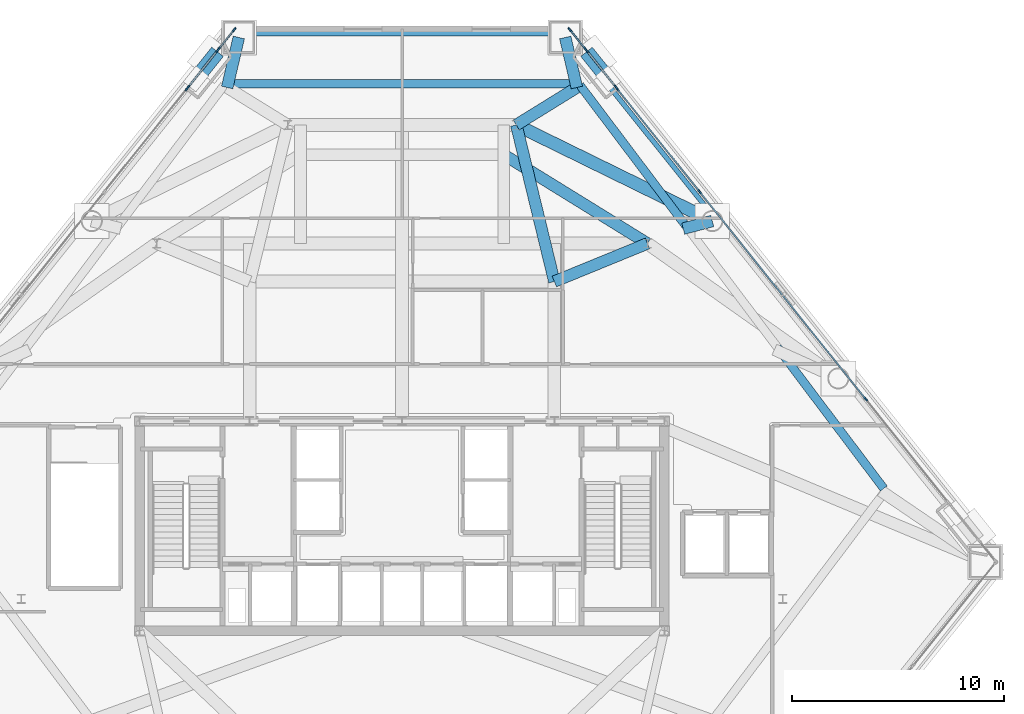
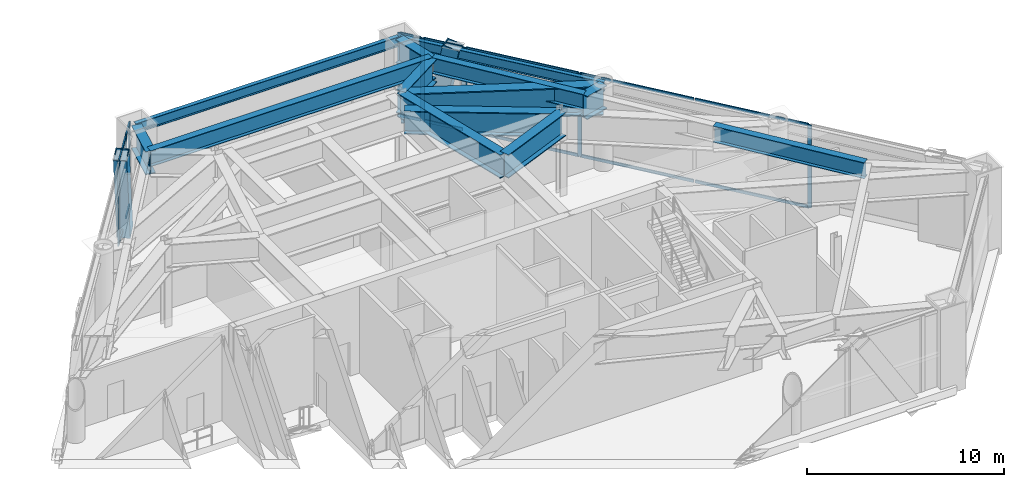
# One storey, part 6 of 13: 28 members, 13 beams, 6 elements without a shape of their own.
"""IFC4 building model written with IfcOpenShell, lengths in metres."""

from ifc_helpers import new_model, si_unit, direction, frame, origin, origin_2d, place, context, subcontext, project, spatial, rectangle, hollow_rectangle, i_section, extrude, material, layer, layer_set, material_profile, profile_set, type_object, element, aggregate, save


model = new_model("IFC4")

# Units and contexts
model_context = context("Model", 3, precision=1e-05, world=origin(), true_north=direction((0.0, 1.0)))
body_context = subcontext(model_context, "Body", "Model", "MODEL_VIEW")
ifc_project = project(units=[si_unit("LENGTHUNIT", "METRE"), si_unit("AREAUNIT", "SQUARE_METRE"), si_unit("VOLUMEUNIT", "CUBIC_METRE"), si_unit("PLANEANGLEUNIT", "RADIAN"), si_unit("MASSUNIT", "GRAM", prefix="KILO")], contexts=[model_context])

# Site, building, storey
site_placement = place(None, origin())
site = spatial("IfcSite", under=ifc_project, at=site_placement, CompositionType="ELEMENT")
building_placement = place(site_placement, origin())
building = spatial("IfcBuilding", under=site, at=building_placement, Name="Talgorran Terracotta Tower", CompositionType="ELEMENT")
storey_placement = place(building_placement, frame((0.0, 0.0, 18.89990234375)))
storey = spatial("IfcBuildingStorey", under=building, at=storey_placement, Name="L04", CompositionType="ELEMENT", Elevation=18.89990234375)

# Beams
ifc_material_1 = material(Name="Steel Grade 350 (350L0)", Category="steel")
ifc_material_profile_1 = material_profile(ifc_material_1, i_section(OverallWidth=0.39990234375, OverallDepth=1.0, WebThickness=0.01611328125, FlangeThickness=0.031005859375, at=origin_2d()), Name="1000WB296")
ifc_profile_set_1 = profile_set([ifc_material_profile_1], Name="Steel Grade 350 (350L0)")
beam_type_1 = type_object("IfcBeamType", Name="BM_1000WB296", PredefinedType="BEAM", material=ifc_profile_set_1)
for number, where, z_axis, x_axis, name in (
    (1, (22.770263671875, -7.382080078125, 4.650146484375), (-0.601803503312, 0.798644190739, 0.0), (-0.798644190739, -0.601803503312, 0.0), "L04 Setback Inner Spandrel Girder 6"),
    (2, (13.43408203125, 5.00732421875, 4.650146484375), (-0.601803503312, 0.798644190739, 0.0), (-0.798644190739, -0.601803503312, 0.0), "L04 Setback Inner Spandrel Girder 8"),
):
    element("IfcBeam", number, at=place(storey_placement, frame(where, z_axis=z_axis, x_axis=x_axis)), inside=storey, type_object=beam_type_1, Name=name, PredefinedType="BEAM", context=body_context, shape_type="SweptSolid", body=[
        extrude(i_section(OverallWidth=0.39990234375, OverallDepth=1.0, WebThickness=0.01611328125, FlangeThickness=0.031005859375, at=origin_2d()), origin(), (0.0, 0.0, 1.0), 8.353271484375),
    ])
beam_1_placement = place(storey_placement, frame((8.26318359375, 11.75048828125, 4.650146484375), z_axis=(-1.0, 0.0, 0.0), x_axis=(0.0, -1.0, 0.0)))
element("IfcBeam", 3, at=beam_1_placement, inside=storey, type_object=beam_type_1, Name="L04 Setback Inner Spandrel Girder 9", PredefinedType="BEAM", context=body_context, shape_type="SweptSolid", body=[
    extrude(i_section(OverallWidth=0.39990234375, OverallDepth=1.0, WebThickness=0.01611328125, FlangeThickness=0.031005859375, at=origin_2d()), origin(), (0.0, 0.0, 1.0), 16.5263671875),
])
ifc_material_2 = material(Name="Steel S355 (300PLUS)", Category="steel")
ifc_material_profile_2 = material_profile(ifc_material_2, i_section(OverallWidth=0.22900390625, OverallDepth=0.611572265625, WebThickness=0.011962890625, FlangeThickness=0.01953125, at=origin_2d()), Name="610UB125")
ifc_profile_set_2 = profile_set([ifc_material_profile_2], Name="Steel S355 (300PLUS)")
beam_type_2 = type_object("IfcBeamType", Name="BM_SP_610UB125", PredefinedType="SPANDREL", material=ifc_profile_set_2)
beam_2_placement = place(storey_placement, frame((14.80419921875, 5.371337890625, 4.84423828125), z_axis=(-0.625115426811, 0.780532320383, 0.0), x_axis=(-0.780532320383, -0.625115426811, 0.0)))
element("IfcBeam", 4, at=beam_2_placement, inside=storey, type_object=beam_type_2, Name="L04 Perimeter Spandrel Beam FC4-MC5", PredefinedType="SPANDREL", context=body_context, shape_type="SweptSolid", body=[
    extrude(i_section(OverallWidth=0.22900390625, OverallDepth=0.611572265625, WebThickness=0.011962890625, FlangeThickness=0.01953125, at=origin_2d()), origin(), (0.0, 0.0, 1.0), 11.1171875),
])
beam_3_placement = place(storey_placement, frame((7.714111328125, 14.115966796875, 4.84423828125), z_axis=(-1.0, 0.0, 0.0), x_axis=(0.0, -1.0, 0.0)))
element("IfcBeam", 5, at=beam_3_placement, inside=storey, type_object=beam_type_2, Name="L04 Perimeter Spandrel Beam MC5-MC6", PredefinedType="SPANDREL", context=body_context, shape_type="SweptSolid", body=[
    extrude(i_section(OverallWidth=0.22900390625, OverallDepth=0.611572265625, WebThickness=0.011962890625, FlangeThickness=0.01953125, at=origin_2d()), origin(), (0.0, 0.0, 1.0), 15.42822265625),
])
ifc_material_profile_3 = material_profile(ifc_material_1, i_section(OverallWidth=0.550048828125, OverallDepth=1.449951171875, WebThickness=0.031982421875, FlangeThickness=0.054931640625, at=origin_2d()), Name="TG1450X550")
ifc_profile_set_3 = profile_set([ifc_material_profile_3], Name="Steel Grade 350 (350L0)")
beam_type_3 = type_object("IfcBeamType", Name="BM_TG_1450", PredefinedType="BEAM", material=ifc_profile_set_3)
beam_4_placement = place(storey_placement, frame((14.663818359375, 5.2587890625, 4.425048828125), z_axis=(-0.967392288814, -0.253282765983, 0.0), x_axis=(0.253282765983, -0.967392288814, 0.0)))
element("IfcBeam", 6, at=beam_4_placement, inside=storey, type_object=beam_type_3, Name="L04 Transfer Girder 8A", PredefinedType="BEAM", context=body_context, shape_type="SweptSolid", body=[
    extrude(i_section(OverallWidth=0.550048828125, OverallDepth=1.449951171875, WebThickness=0.031982421875, FlangeThickness=0.054931640625, at=origin_2d()), origin(), (0.0, 0.0, 1.0), 1.419921875),
])
beam_5_placement = place(storey_placement, frame((7.714111328125, 13.93603515625, 4.425048828125), z_axis=(0.226085420297, -0.97410748007, 0.0), x_axis=(0.97410748007, 0.226085420297, 0.0)))
element("IfcBeam", 7, at=beam_5_placement, inside=storey, type_object=beam_type_3, Name="L04 Transfer Girder 9A", PredefinedType="BEAM", context=body_context, shape_type="SweptSolid", body=[
    extrude(i_section(OverallWidth=0.550048828125, OverallDepth=1.449951171875, WebThickness=0.031982421875, FlangeThickness=0.054931640625, at=origin_2d()), origin(), (0.0, 0.0, 1.0), 2.4287109375),
])
beam_6_placement = place(storey_placement, frame((8.26318359375, 11.5703125, 4.425048828125), z_axis=(-0.850563310322, -0.525872660569, 0.0), x_axis=(0.525872660569, -0.850563310322, 0.0)))
element("IfcBeam", 8, at=beam_6_placement, inside=storey, type_object=beam_type_3, Name="L04 Transfer Girder 9B", PredefinedType="BEAM", context=body_context, shape_type="SweptSolid", body=[
    extrude(i_section(OverallWidth=0.550048828125, OverallDepth=1.449951171875, WebThickness=0.031982421875, FlangeThickness=0.054931640625, at=origin_2d()), origin(), (0.0, 0.0, 1.0), 3.366455078125),
])
beam_7_placement = place(storey_placement, frame((-7.714111328125, 13.93603515625, 4.425048828125), z_axis=(-0.226085420297, -0.97410748007, 0.0), x_axis=(0.97410748007, -0.226085420297, 0.0)))
element("IfcBeam", 9, at=beam_7_placement, inside=storey, type_object=beam_type_3, Name="L04 Transfer Girder 10A", PredefinedType="BEAM", context=body_context, shape_type="SweptSolid", body=[
    extrude(i_section(OverallWidth=0.550048828125, OverallDepth=1.449951171875, WebThickness=0.031982421875, FlangeThickness=0.054931640625, at=origin_2d()), origin(), (0.0, 0.0, 1.0), 2.4287109375),
])
beam_8_placement = place(storey_placement, frame((7.199951171875, 2.39990234375, 4.425048828125), z_axis=(-0.236353215138, 0.971667205217, 0.0), x_axis=(-0.971667205217, -0.236353215138, 0.0)))
element("IfcBeam", 10, at=beam_8_placement, inside=storey, type_object=beam_type_3, Name="L04 Transfer Girder TG02B", PredefinedType="BEAM", context=body_context, shape_type="SweptSolid", body=[
    extrude(i_section(OverallWidth=0.550048828125, OverallDepth=1.449951171875, WebThickness=0.031982421875, FlangeThickness=0.054931640625, at=origin_2d()), origin(), (0.0, 0.0, 1.0), 7.615966796875),
])
beam_9_placement = place(storey_placement, frame((7.199951171875, 2.39990234375, 4.425048828125), z_axis=(0.925547774227, 0.378630846106, 0.0), x_axis=(-0.378630846106, 0.925547774227, 0.0)))
element("IfcBeam", 11, at=beam_9_placement, inside=storey, type_object=beam_type_3, Name="L04 Transfer Girder TG03B", PredefinedType="BEAM", context=body_context, shape_type="SweptSolid", body=[
    extrude(i_section(OverallWidth=0.550048828125, OverallDepth=1.449951171875, WebThickness=0.031982421875, FlangeThickness=0.054931640625, at=origin_2d()), origin(), (0.0, 0.0, 1.0), 4.754150390625),
])
beam_10_placement = place(storey_placement, frame((4.800048828125, 8.39990234375, 4.425048828125), z_axis=(0.850802415717, -0.525485727124, 0.0), x_axis=(0.525485727124, 0.850802415717, 0.0)))
element("IfcBeam", 12, at=beam_10_placement, inside=storey, type_object=beam_type_3, Name="L04 Transfer Girder TG11", PredefinedType="BEAM", context=body_context, shape_type="SweptSolid", body=[
    extrude(i_section(OverallWidth=0.550048828125, OverallDepth=1.449951171875, WebThickness=0.031982421875, FlangeThickness=0.054931640625, at=origin_2d()), origin(), (0.0, 0.0, 1.0), 7.992431640625),
])
ifc_material_profile_4 = material_profile(ifc_material_1, i_section(OverallWidth=0.60009765625, OverallDepth=1.800048828125, WebThickness=0.035888671875, FlangeThickness=0.06494140625, at=origin_2d()), Name="TG1800X600")
ifc_profile_set_4 = profile_set([ifc_material_profile_4], Name="Steel Grade 350 (350L0)")
beam_type_4 = type_object("IfcBeamType", Name="BM_TG_1800", PredefinedType="BEAM", material=ifc_profile_set_4)
beam_11_placement = place(storey_placement, frame((5.39990234375, 9.800048828125, 4.25), z_axis=(0.897915954742, -0.44016694358, 0.0), x_axis=(0.44016694358, 0.897915954742, 0.0)))
element("IfcBeam", 13, at=beam_11_placement, inside=storey, type_object=beam_type_4, Name="L04 Transfer Girder TG08B", PredefinedType="BEAM", context=body_context, shape_type="SweptSolid", body=[
    extrude(i_section(OverallWidth=0.60009765625, OverallDepth=1.800048828125, WebThickness=0.035888671875, FlangeThickness=0.06494140625, at=origin_2d()), origin(), (0.0, 0.0, 1.0), 10.317138671875),
])

# Members
ifc_material_profile_5 = material_profile(ifc_material_1, hollow_rectangle(XDim=0.699951171875, YDim=0.89990234375, WallThickness=0.050048828125, at=origin_2d()), Name="WBOX900X700X50")
ifc_profile_set_5 = profile_set([ifc_material_profile_5], Name="Steel Grade 350 (350L0)")
member_type_1 = type_object("IfcMemberType", Name="MB_MEGA_900", PredefinedType="BRACE", material=ifc_profile_set_5)
for number, where, z_axis, x_axis, name in (
    (14, (8.9951171875, 12.91259765625, -0.419921875), (0.13029399466, -0.162686114525, 0.978037168566), (0.780529099081, 0.625119448976, 0.0), "L04 Exterior Face Mega-Brace MB-1 (NEU)"),
    (15, (-8.9951171875, 12.91259765625, -0.419921875), (-0.13029399466, -0.162686114525, 0.978037168566), (0.780529099081, -0.625119448976, 0.0), "L04 Exterior Face Mega-Brace MB-1 (NWU)"),
):
    element("IfcMember", number, at=place(storey_placement, frame(where, z_axis=z_axis, x_axis=x_axis)), inside=storey, type_object=member_type_1, Name=name, PredefinedType="BRACE", context=body_context, shape_type="SweptSolid", body=[
        extrude(hollow_rectangle(XDim=0.699951171875, YDim=0.89990234375, WallThickness=0.050048828125, at=origin_2d()), origin(), (0.0, 0.0, 1.0), 5.720703125),
    ])

# Curtain wall, members
ifc_material_3 = material(Name="Terracotta and Low-E Glazing", Category="masonry")
ifc_layer = layer(ifc_material_3, 0.219970703125, Name="CW_SYS1_PODIUM")
ifc_layer_set = layer_set([ifc_layer], Name="Terracotta and Low-E Glazing")
curtain_wall_type = type_object("IfcCurtainWallType", Name="CW_SYS1_PODIUM", PredefinedType="NOTDEFINED", material=ifc_layer_set)
curtain_wall_1_placement = place(storey_placement, origin())
curtain_wall_1 = element("IfcCurtainWall", 16, at=curtain_wall_1_placement, inside=storey, type_object=curtain_wall_type, Name="CW-L04-F3C", PredefinedType="NOTDEFINED")
ifc_material_4 = material(Name="Architectural Aluminium 6063-T6", Category="aluminium")
ifc_material_profile_6 = material_profile(ifc_material_4, rectangle(XDim=0.074951171875, YDim=0.219970703125, at=origin_2d()), Name="CWM75X220")
ifc_profile_set_6 = profile_set([ifc_material_profile_6], Name="Architectural Aluminium 6063-T6")
member_type_2 = type_object("IfcMemberType", Name="MUL_75X220", PredefinedType="MULLION", material=ifc_profile_set_6)
member_1_placement = place(storey_placement, frame((21.91357421875, -3.15380859375, 0.0), z_axis=(0.0, 0.0, 1.0), x_axis=(-0.780532542614, -0.625115149329, 0.0)))
member_1 = element("IfcMember", 17, at=member_1_placement, type_object=member_type_2, Name="CW-L04-3C mullion 2", PredefinedType="MULLION", context=body_context, shape_type="SweptSolid", body=[
    extrude(rectangle(XDim=0.074951171875, YDim=0.219970703125, at=origin_2d()), origin(), (0.0, 0.0, 1.0), 5.150146484375),
])
member_2_placement = place(storey_placement, frame((14.067138671875, 6.643798828125, 0.0), z_axis=(0.0, 0.0, 1.0), x_axis=(-0.780532542614, -0.625115149329, 0.0)))
member_2 = element("IfcMember", 18, at=member_2_placement, type_object=member_type_2, Name="CW-L04-3C mullion 4", PredefinedType="MULLION", context=body_context, shape_type="SweptSolid", body=[
    extrude(rectangle(XDim=0.074951171875, YDim=0.219970703125, at=origin_2d()), origin(), (0.0, 0.0, 1.0), 5.150146484375),
])
member_3_placement = place(storey_placement, frame((10.167236328125, 11.51318359375, 0.0), z_axis=(0.0, 0.0, 1.0), x_axis=(-0.780532542614, -0.625115149329, 0.0)))
member_3 = element("IfcMember", 19, at=member_3_placement, type_object=member_type_2, Name="CW-L04-3C mullion 5", PredefinedType="MULLION", context=body_context, shape_type="SweptSolid", body=[
    extrude(rectangle(XDim=0.074951171875, YDim=0.219970703125, at=origin_2d()), origin(), (0.0, 0.0, 1.0), 5.150146484375),
])

curtain_wall_2_placement = place(storey_placement, origin())
curtain_wall_2 = element("IfcCurtainWall", 20, at=curtain_wall_2_placement, inside=storey, type_object=curtain_wall_type, Name="CW-L04-F3D", PredefinedType="NOTDEFINED")
member_4_placement = place(storey_placement, frame((10.114013671875, 11.57958984375, 0.0), z_axis=(0.0, 0.0, 1.0), x_axis=(-0.780536835642, -0.625109788922, 0.0)))
member_4 = element("IfcMember", 21, at=member_4_placement, type_object=member_type_2, Name="CW-L04-3D mullion 1", PredefinedType="MULLION", context=body_context, shape_type="SweptSolid", body=[
    extrude(rectangle(XDim=0.074951171875, YDim=0.219970703125, at=origin_2d()), origin(), (0.0, 0.0, 1.0), 5.150146484375),
])
member_5_placement = place(storey_placement, frame((8.7275390625, 13.310791015625, 0.0), z_axis=(0.0, 0.0, 1.0), x_axis=(-0.780536835642, -0.625109788922, 0.0)))
member_5 = element("IfcMember", 22, at=member_5_placement, type_object=member_type_2, Name="CW-L04-3D mullion 2", PredefinedType="MULLION", context=body_context, shape_type="SweptSolid", body=[
    extrude(rectangle(XDim=0.074951171875, YDim=0.219970703125, at=origin_2d()), origin(), (0.0, 0.0, 1.0), 5.150146484375),
])

curtain_wall_3_placement = place(storey_placement, origin())
curtain_wall_3 = element("IfcCurtainWall", 23, at=curtain_wall_3_placement, inside=storey, type_object=curtain_wall_type, Name="CW-L04-F3E", PredefinedType="NOTDEFINED")
member_6_placement = place(storey_placement, frame((8.67431640625, 13.377197265625, 0.0), z_axis=(0.0, 0.0, 1.0), x_axis=(-0.780514185646, -0.625138069553, 0.0)))
member_6 = element("IfcMember", 24, at=member_6_placement, type_object=member_type_2, Name="CW-L04-3E mullion 1", PredefinedType="MULLION", context=body_context, shape_type="SweptSolid", body=[
    extrude(rectangle(XDim=0.074951171875, YDim=0.219970703125, at=origin_2d()), origin(), (0.0, 0.0, 1.0), 5.150146484375),
])
member_7_placement = place(storey_placement, frame((7.929931640625, 14.306640625, 0.0), z_axis=(0.0, 0.0, 1.0), x_axis=(-0.780514185646, -0.625138069553, 0.0)))
member_7 = element("IfcMember", 25, at=member_7_placement, type_object=member_type_2, Name="CW-L04-3E mullion 2", PredefinedType="MULLION", context=body_context, shape_type="SweptSolid", body=[
    extrude(rectangle(XDim=0.074951171875, YDim=0.219970703125, at=origin_2d()), origin(), (0.0, 0.0, 1.0), 5.150146484375),
])

curtain_wall_4_placement = place(storey_placement, origin())
curtain_wall_4 = element("IfcCurtainWall", 26, at=curtain_wall_4_placement, inside=storey, type_object=curtain_wall_type, Name="CW-L04-F5", PredefinedType="NOTDEFINED")
member_8_placement = place(storey_placement, frame((-7.929931640625, 14.306640625, 0.0), z_axis=(0.0, 0.0, 1.0), x_axis=(0.780514185646, -0.625138069553, 0.0)))
member_8 = element("IfcMember", 27, at=member_8_placement, type_object=member_type_2, Name="CW-L04-5 mullion 1", PredefinedType="MULLION", context=body_context, shape_type="SweptSolid", body=[
    extrude(rectangle(XDim=0.074951171875, YDim=0.219970703125, at=origin_2d()), origin(), (0.0, 0.0, 1.0), 5.150146484375),
])
member_9_placement = place(storey_placement, frame((-8.67431640625, 13.377197265625, 0.0), z_axis=(0.0, 0.0, 1.0), x_axis=(0.780514185646, -0.625138069553, 0.0)))
member_9 = element("IfcMember", 28, at=member_9_placement, type_object=member_type_2, Name="CW-L04-5 mullion 2", PredefinedType="MULLION", context=body_context, shape_type="SweptSolid", body=[
    extrude(rectangle(XDim=0.074951171875, YDim=0.219970703125, at=origin_2d()), origin(), (0.0, 0.0, 1.0), 5.150146484375),
])

curtain_wall_5_placement = place(storey_placement, origin())
curtain_wall_5 = element("IfcCurtainWall", 29, at=curtain_wall_5_placement, inside=storey, type_object=curtain_wall_type, Name="CW-L04-F5B", PredefinedType="NOTDEFINED")
member_10_placement = place(storey_placement, frame((-8.7275390625, 13.310791015625, 0.0), z_axis=(0.0, 0.0, 1.0), x_axis=(0.780536835642, -0.625109788922, 0.0)))
member_10 = element("IfcMember", 30, at=member_10_placement, type_object=member_type_2, Name="CW-L04-5B mullion 1", PredefinedType="MULLION", context=body_context, shape_type="SweptSolid", body=[
    extrude(rectangle(XDim=0.074951171875, YDim=0.219970703125, at=origin_2d()), origin(), (0.0, 0.0, 1.0), 5.150146484375),
])
member_11_placement = place(storey_placement, frame((-10.114013671875, 11.57958984375, 0.0), z_axis=(0.0, 0.0, 1.0), x_axis=(0.780536835642, -0.625109788922, 0.0)))
member_11 = element("IfcMember", 31, at=member_11_placement, type_object=member_type_2, Name="CW-L04-5B mullion 2", PredefinedType="MULLION", context=body_context, shape_type="SweptSolid", body=[
    extrude(rectangle(XDim=0.074951171875, YDim=0.219970703125, at=origin_2d()), origin(), (0.0, 0.0, 1.0), 5.150146484375),
])

# Curtain wall, member
curtain_wall_6_placement = place(storey_placement, origin())
curtain_wall_6 = element("IfcCurtainWall", 32, at=curtain_wall_6_placement, inside=storey, type_object=curtain_wall_type, Name="CW-L04-F5C", PredefinedType="NOTDEFINED")
member_12_placement = place(storey_placement, frame((-10.167236328125, 11.51318359375, 0.0), z_axis=(0.0, 0.0, 1.0), x_axis=(0.780532542614, -0.625115149329, 0.0)))
member_12 = element("IfcMember", 33, at=member_12_placement, type_object=member_type_2, Name="CW-L04-5C mullion 1", PredefinedType="MULLION", context=body_context, shape_type="SweptSolid", body=[
    extrude(rectangle(XDim=0.074951171875, YDim=0.219970703125, at=origin_2d()), origin(), (0.0, 0.0, 1.0), 5.150146484375),
])
aggregate(curtain_wall_6, [member_12])

# Member
ifc_material_profile_7 = material_profile(ifc_material_4, rectangle(XDim=0.074951171875, YDim=0.179931640625, at=origin_2d()), Name="CWT75X180")
ifc_profile_set_7 = profile_set([ifc_material_profile_7], Name="Architectural Aluminium 6063-T6")
member_type_3 = type_object("IfcMemberType", Name="TRN_75X180", PredefinedType="USERDEFINED", material=ifc_profile_set_7)
member_13_placement = place(storey_placement, frame((21.89013671875, -3.12451171875, 0.03759765625), z_axis=(-0.625107859156, 0.780538381133, 0.0), x_axis=(-0.780538381133, -0.625107859156, 0.0)))
member_13 = element("IfcMember", 34, at=member_13_placement, type_object=member_type_3, Name="CW-L04-3C transom 2.1", ObjectType="TRANSOM", PredefinedType="USERDEFINED", context=body_context, shape_type="SweptSolid", body=[
    extrude(rectangle(XDim=0.074951171875, YDim=0.179931640625, at=origin_2d()), origin(), (0.0, 0.0, 1.0), 6.201171875),
])

member_14_placement = place(storey_placement, frame((21.89013671875, -3.12451171875, 5.112548828125), z_axis=(-0.625107859156, 0.780538381133, 0.0), x_axis=(-0.780538381133, -0.625107859156, 0.0)))
member_14 = element("IfcMember", 35, at=member_14_placement, type_object=member_type_3, Name="CW-L04-3C transom 2.2", ObjectType="TRANSOM", PredefinedType="USERDEFINED", context=body_context, shape_type="SweptSolid", body=[
    extrude(rectangle(XDim=0.074951171875, YDim=0.179931640625, at=origin_2d()), origin(), (0.0, 0.0, 1.0), 6.201171875),
])

member_15_placement = place(storey_placement, frame((17.966796875, 1.774169921875, 0.03759765625), z_axis=(-0.625083872831, 0.780557590397, 0.0), x_axis=(-0.780557590397, -0.625083872831, 0.0)))
member_15 = element("IfcMember", 36, at=member_15_placement, type_object=member_type_3, Name="CW-L04-3C transom 3.1", ObjectType="TRANSOM", PredefinedType="USERDEFINED", context=body_context, shape_type="SweptSolid", body=[
    extrude(rectangle(XDim=0.074951171875, YDim=0.179931640625, at=origin_2d()), origin(), (0.0, 0.0, 1.0), 6.201171875),
])

member_16_placement = place(storey_placement, frame((17.966796875, 1.774169921875, 5.112548828125), z_axis=(-0.625083872831, 0.780557590397, 0.0), x_axis=(-0.780557590397, -0.625083872831, 0.0)))
member_16 = element("IfcMember", 37, at=member_16_placement, type_object=member_type_3, Name="CW-L04-3C transom 3.2", ObjectType="TRANSOM", PredefinedType="USERDEFINED", context=body_context, shape_type="SweptSolid", body=[
    extrude(rectangle(XDim=0.074951171875, YDim=0.179931640625, at=origin_2d()), origin(), (0.0, 0.0, 1.0), 6.201171875),
])

member_17_placement = place(storey_placement, frame((14.043701171875, 6.673095703125, 0.03759765625), z_axis=(-0.625129697892, 0.780520890696, 0.0), x_axis=(-0.780520890696, -0.625129697892, 0.0)))
member_17 = element("IfcMember", 38, at=member_17_placement, type_object=member_type_3, Name="CW-L04-3C transom 4.1", ObjectType="TRANSOM", PredefinedType="USERDEFINED", context=body_context, shape_type="SweptSolid", body=[
    extrude(rectangle(XDim=0.074951171875, YDim=0.179931640625, at=origin_2d()), origin(), (0.0, 0.0, 1.0), 6.16357421875),
])

member_18_placement = place(storey_placement, frame((14.043701171875, 6.673095703125, 5.112548828125), z_axis=(-0.625129697892, 0.780520890696, 0.0), x_axis=(-0.780520890696, -0.625129697892, 0.0)))
member_18 = element("IfcMember", 39, at=member_18_placement, type_object=member_type_3, Name="CW-L04-3C transom 4.2", ObjectType="TRANSOM", PredefinedType="USERDEFINED", context=body_context, shape_type="SweptSolid", body=[
    extrude(rectangle(XDim=0.074951171875, YDim=0.179931640625, at=origin_2d()), origin(), (0.0, 0.0, 1.0), 6.16357421875),
])

aggregate(curtain_wall_1, [member_1, member_2, member_3, member_13, member_14, member_15, member_16, member_17, member_18])

member_19_placement = place(storey_placement, frame((10.090576171875, 11.60888671875, 0.03759765625), z_axis=(-0.625125657818, 0.780524126429, 0.0), x_axis=(-0.780524126429, -0.625125657818, 0.0)))
member_19 = element("IfcMember", 40, at=member_19_placement, type_object=member_type_3, Name="CW-L04-3D transom 1.1", ObjectType="TRANSOM", PredefinedType="USERDEFINED", context=body_context, shape_type="SweptSolid", body=[
    extrude(rectangle(XDim=0.074951171875, YDim=0.179931640625, at=origin_2d()), origin(), (0.0, 0.0, 1.0), 2.142822265625),
])

member_20_placement = place(storey_placement, frame((10.090576171875, 11.60888671875, 5.112548828125), z_axis=(-0.625125657818, 0.780524126429, 0.0), x_axis=(-0.780524126429, -0.625125657818, 0.0)))
member_20 = element("IfcMember", 41, at=member_20_placement, type_object=member_type_3, Name="CW-L04-3D transom 1.2", ObjectType="TRANSOM", PredefinedType="USERDEFINED", context=body_context, shape_type="SweptSolid", body=[
    extrude(rectangle(XDim=0.074951171875, YDim=0.179931640625, at=origin_2d()), origin(), (0.0, 0.0, 1.0), 2.142822265625),
])

aggregate(curtain_wall_2, [member_4, member_5, member_19, member_20])

member_21_placement = place(storey_placement, frame((8.65087890625, 13.406494140625, 0.03759765625), z_axis=(-0.62514857873, 0.780505768404, 0.0), x_axis=(-0.780505768404, -0.62514857873, 0.0)))
member_21 = element("IfcMember", 42, at=member_21_placement, type_object=member_type_3, Name="CW-L04-3E transom 1.1", ObjectType="TRANSOM", PredefinedType="USERDEFINED", context=body_context, shape_type="SweptSolid", body=[
    extrude(rectangle(XDim=0.074951171875, YDim=0.179931640625, at=origin_2d()), origin(), (0.0, 0.0, 1.0), 1.11572265625),
])

member_22_placement = place(storey_placement, frame((8.65087890625, 13.406494140625, 5.112548828125), z_axis=(-0.62514857873, 0.780505768404, 0.0), x_axis=(-0.780505768404, -0.62514857873, 0.0)))
member_22 = element("IfcMember", 43, at=member_22_placement, type_object=member_type_3, Name="CW-L04-3E transom 1.2", ObjectType="TRANSOM", PredefinedType="USERDEFINED", context=body_context, shape_type="SweptSolid", body=[
    extrude(rectangle(XDim=0.074951171875, YDim=0.179931640625, at=origin_2d()), origin(), (0.0, 0.0, 1.0), 1.11572265625),
])

aggregate(curtain_wall_3, [member_6, member_7, member_21, member_22])

member_23_placement = place(storey_placement, frame((-7.953369140625, 14.27734375, 0.03759765625), z_axis=(-0.62514857873, -0.780505768404, 0.0), x_axis=(0.780505768404, -0.62514857873, 0.0)))
member_23 = element("IfcMember", 44, at=member_23_placement, type_object=member_type_3, Name="CW-L04-5 transom 1.1", ObjectType="TRANSOM", PredefinedType="USERDEFINED", context=body_context, shape_type="SweptSolid", body=[
    extrude(rectangle(XDim=0.074951171875, YDim=0.179931640625, at=origin_2d()), origin(), (0.0, 0.0, 1.0), 1.11572265625),
])

member_24_placement = place(storey_placement, frame((-7.953369140625, 14.27734375, 5.112548828125), z_axis=(-0.62514857873, -0.780505768404, 0.0), x_axis=(0.780505768404, -0.62514857873, 0.0)))
member_24 = element("IfcMember", 45, at=member_24_placement, type_object=member_type_3, Name="CW-L04-5 transom 1.2", ObjectType="TRANSOM", PredefinedType="USERDEFINED", context=body_context, shape_type="SweptSolid", body=[
    extrude(rectangle(XDim=0.074951171875, YDim=0.179931640625, at=origin_2d()), origin(), (0.0, 0.0, 1.0), 1.11572265625),
])

aggregate(curtain_wall_4, [member_8, member_9, member_23, member_24])

member_25_placement = place(storey_placement, frame((-8.7509765625, 13.281494140625, 0.03759765625), z_axis=(-0.625125657818, -0.780524126429, 0.0), x_axis=(0.780524126429, -0.625125657818, 0.0)))
member_25 = element("IfcMember", 46, at=member_25_placement, type_object=member_type_3, Name="CW-L04-5B transom 1.1", ObjectType="TRANSOM", PredefinedType="USERDEFINED", context=body_context, shape_type="SweptSolid", body=[
    extrude(rectangle(XDim=0.074951171875, YDim=0.179931640625, at=origin_2d()), origin(), (0.0, 0.0, 1.0), 2.142822265625),
])

member_26_placement = place(storey_placement, frame((-8.7509765625, 13.281494140625, 5.112548828125), z_axis=(-0.625125657818, -0.780524126429, 0.0), x_axis=(0.780524126429, -0.625125657818, 0.0)))
member_26 = element("IfcMember", 47, at=member_26_placement, type_object=member_type_3, Name="CW-L04-5B transom 1.2", ObjectType="TRANSOM", PredefinedType="USERDEFINED", context=body_context, shape_type="SweptSolid", body=[
    extrude(rectangle(XDim=0.074951171875, YDim=0.179931640625, at=origin_2d()), origin(), (0.0, 0.0, 1.0), 2.142822265625),
])

aggregate(curtain_wall_5, [member_10, member_11, member_25, member_26])

save(model, "model.ifc")
